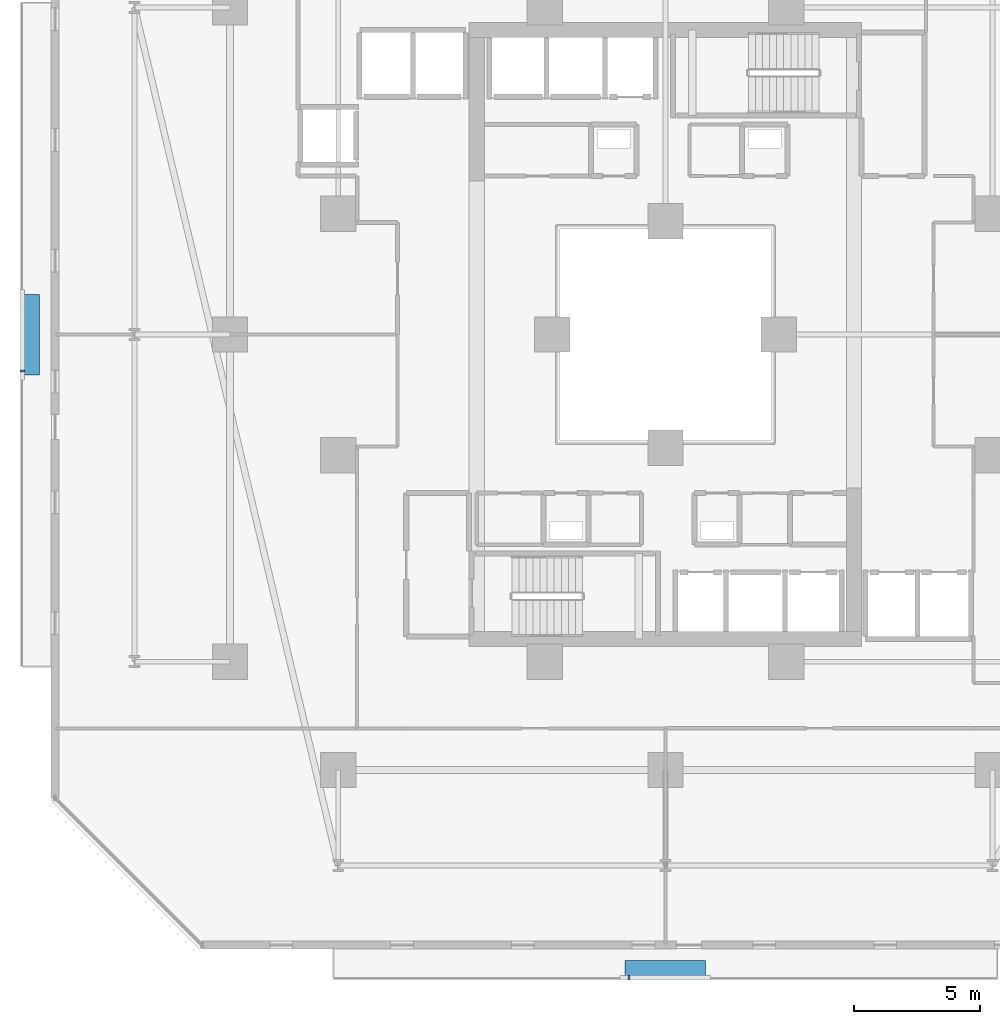
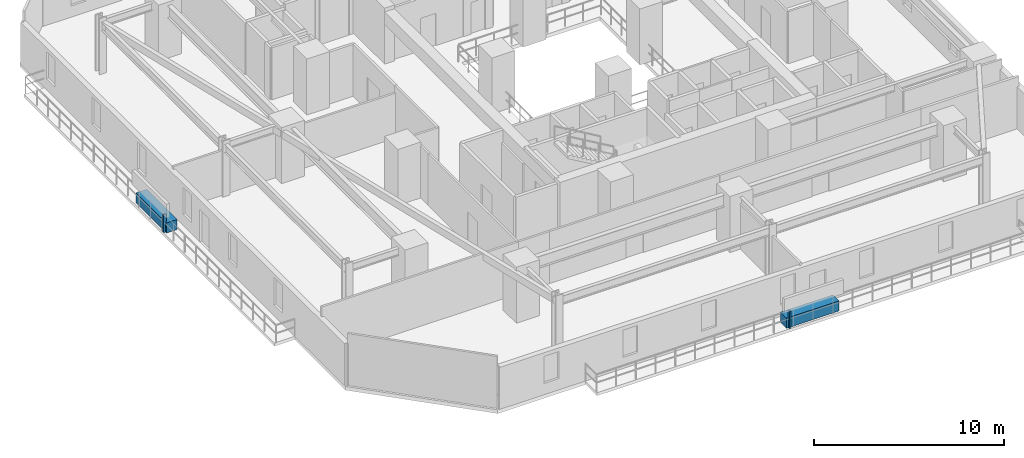
# One storey, part 27 of 33: 4 discrete accessories.
"""IFC4 building model written with IfcOpenShell, lengths in metres."""

from ifc_helpers import new_model, si_unit, direction, frame, origin, origin_2d, place, context, subcontext, project, spatial, rectangle, extrude, material, type_object, element, save


model = new_model("IFC4")

# Units and contexts
model_context = context("Model", 3, precision=1e-05, world=origin(), true_north=direction((0.0, 1.0)))
body_context = subcontext(model_context, "Body", "Model", "MODEL_VIEW")
ifc_project = project(units=[si_unit("LENGTHUNIT", "METRE"), si_unit("AREAUNIT", "SQUARE_METRE"), si_unit("VOLUMEUNIT", "CUBIC_METRE"), si_unit("PLANEANGLEUNIT", "RADIAN"), si_unit("MASSUNIT", "GRAM", prefix="KILO")], contexts=[model_context])

# Site, building, storey
site_placement = place(None, origin())
site = spatial("IfcSite", under=ifc_project, at=site_placement, CompositionType="ELEMENT")
building_placement = place(site_placement, origin())
building = spatial("IfcBuilding", under=site, at=building_placement, Name="Thornwick Lancets Civic Towers", CompositionType="ELEMENT")
storey_placement = place(building_placement, frame((0.0, 0.0, 31.5)))
storey = spatial("IfcBuildingStorey", under=building, at=storey_placement, Name="L07", CompositionType="ELEMENT", Elevation=31.5)

# Discrete accessories
ifc_material_1 = material(Name="Planted terracotta greenery planter", Category="masonry")
discrete_accessory_type_1 = type_object("IfcDiscreteAccessoryType", Name="ACC_PLANTER_BOX", PredefinedType="USERDEFINED", material=ifc_material_1)
discrete_accessory_1_placement = place(storey_placement, frame((25.5, 1.800048828125, 0.0), z_axis=(0.0, 0.0, 1.0), x_axis=(1.0, 0.0, 0.0)))
element("IfcDiscreteAccessory", 1, at=discrete_accessory_1_placement, inside=storey, type_object=discrete_accessory_type_1, Name="L07 Tower A Balcony Greenery Planter S", ObjectType="PLANTER", PredefinedType="USERDEFINED", context=body_context, shape_type="SweptSolid", body=[
    extrude(rectangle(XDim=3.199951171875, YDim=0.64990234375, at=origin_2d()), origin(), (0.0, 0.0, 1.0), 0.64990234375),
])
discrete_accessory_2_placement = place(storey_placement, frame((0.300048828125, 27.0, 0.0), z_axis=(0.0, 0.0, 1.0), x_axis=(1.0, 0.0, 0.0)))
element("IfcDiscreteAccessory", 2, at=discrete_accessory_2_placement, inside=storey, type_object=discrete_accessory_type_1, Name="L07 Tower A Balcony Greenery Planter W", ObjectType="PLANTER", PredefinedType="USERDEFINED", context=body_context, shape_type="SweptSolid", body=[
    extrude(rectangle(XDim=0.64990234375, YDim=3.199951171875, at=origin_2d()), origin(), (0.0, 0.0, 1.0), 0.64990234375),
])
ifc_material_2 = material(Name="Stainless steel S355", Category="steel")
discrete_accessory_type_2 = type_object("IfcDiscreteAccessoryType", Name="ACC_SCREEN_BRACKET", PredefinedType="BRACKET", material=ifc_material_2)
for number, where, z_axis, x_axis, name in (
    (3, (24.050048828125, 1.43994140625, 0.0), (0.0, 0.0, 1.0), (1.0, 0.0, 0.0), "L07 Tower A Balcony Screen Stanchion Bracket S-1"),
    (4, (-0.06005859375, 25.550048828125, 0.0), (0.0, 0.0, 1.0), (0.0, 1.0, 0.0), "L07 Tower A Balcony Screen Stanchion Bracket W-1"),
):
    element("IfcDiscreteAccessory", number, at=place(storey_placement, frame(where, z_axis=z_axis, x_axis=x_axis)), inside=storey, type_object=discrete_accessory_type_2, Name=name, PredefinedType="BRACKET", context=body_context, shape_type="SweptSolid", body=[
        extrude(rectangle(XDim=0.080078125, YDim=0.179931640625, at=origin_2d()), origin(), (0.0, 0.0, 1.0), 1.14990234375),
    ])

save(model, "model.ifc")
